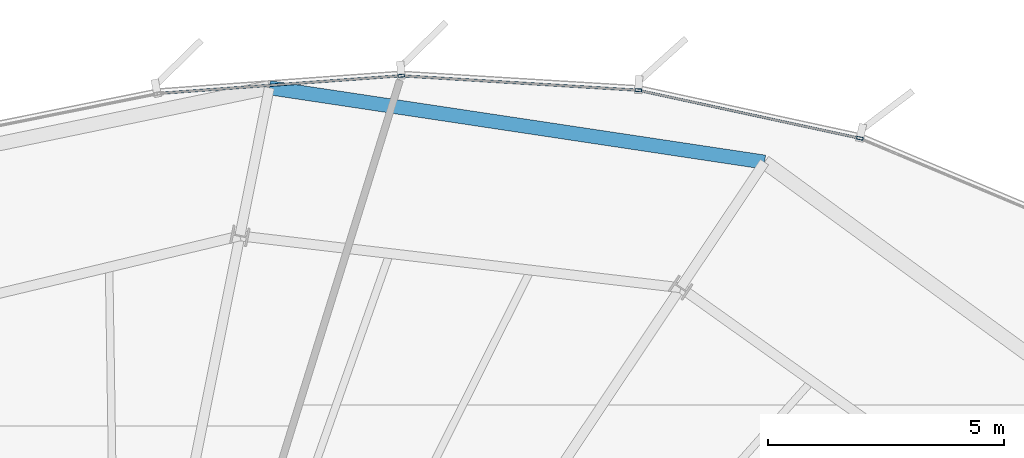
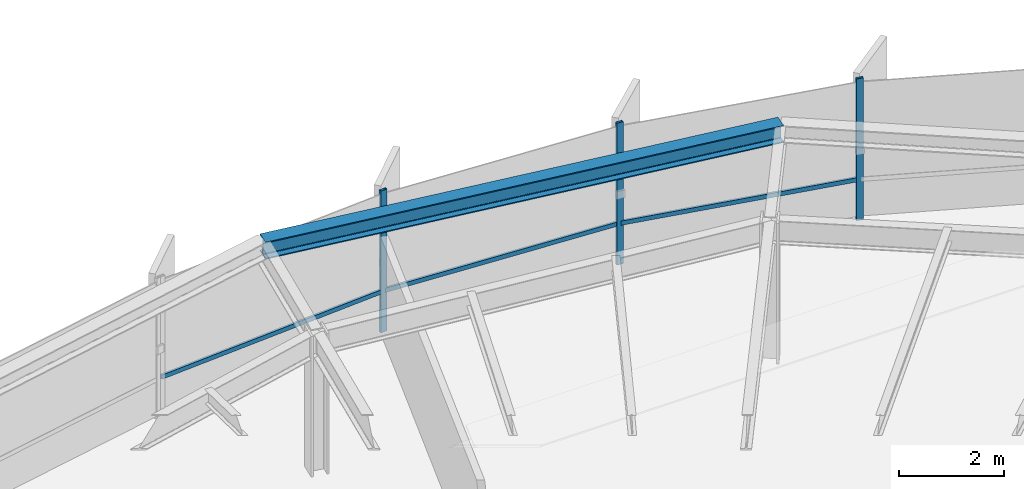
# One storey, part 24 of 32: 6 members, 1 beam, 1 element without a shape of its own.
"""IFC4 building model written with IfcOpenShell, lengths in metres."""

from ifc_helpers import new_model, si_unit, direction, frame, origin, origin_2d, place, context, subcontext, project, spatial, hollow_rectangle, i_section, extrude, source, transform, mapped, material, layer, layer_set, material_profile, profile_set, type_object, element, aggregate, save


model = new_model("IFC4")

# Units and contexts
model_context = context("Model", 3, precision=1e-05, world=origin(), true_north=direction((0.0, 1.0)))
body_context = subcontext(model_context, "Body", "Model", "MODEL_VIEW")
ifc_project = project(units=[si_unit("LENGTHUNIT", "METRE"), si_unit("AREAUNIT", "SQUARE_METRE"), si_unit("VOLUMEUNIT", "CUBIC_METRE"), si_unit("PLANEANGLEUNIT", "RADIAN"), si_unit("MASSUNIT", "GRAM", prefix="KILO"), si_unit("THERMODYNAMICTEMPERATUREUNIT", "KELVIN")], contexts=[model_context])

# Site, building, storey
site_placement = place(None, origin())
site = spatial("IfcSite", under=ifc_project, at=site_placement, CompositionType="ELEMENT")
building_placement = place(site_placement, origin())
building = spatial("IfcBuilding", under=site, at=building_placement, Name="Kethvar Cultural Tower", CompositionType="ELEMENT")
storey_placement = place(building_placement, frame((0.0, 0.0, 157.199951171875)))
storey = spatial("IfcBuildingStorey", under=building, at=storey_placement, Name="L40", CompositionType="ELEMENT", Elevation=157.199951171875)

# Beam
ifc_material_1 = material(Name="Steel S355J2", Category="steel")
ifc_material_profile_1 = material_profile(ifc_material_1, i_section(OverallWidth=0.300048828125, OverallDepth=0.39990234375, WebThickness=0.013427734375, FlangeThickness=0.02392578125, FilletRadius=0.027099609375, at=origin_2d()), Name="Steel S355J2 — HEB400")
ifc_profile_set_1 = profile_set([ifc_material_profile_1], Name="Steel S355J2 — HEB400")
beam_type = type_object("IfcBeamType", Name="BM-SP400", PredefinedType="SPANDREL", material=ifc_profile_set_1)
shared_shape_1 = source(origin(), body_context, "Body", "SweptSolid", [
    extrude(i_section(OverallWidth=0.300048828125, OverallDepth=0.39990234375, WebThickness=0.013427734375, FlangeThickness=0.02392578125, FilletRadius=0.027099609375, at=origin_2d()), origin(), (0.0, 0.0, 1.0), 10.607421875),
])
beam_placement = place(storey_placement, frame((62.1826171875, 50.821533203125, 3.09814453125), z_axis=(-0.98889884318, 0.148590302369, 0.0), x_axis=(-0.148590302369, -0.98889884318, 0.0)))
element("IfcBeam", 1, at=beam_placement, inside=storey, type_object=beam_type, Name="L40 Perimeter Spandrel Beam SP-03", PredefinedType="SPANDREL", context=body_context, shape_type="MappedRepresentation", body=[
    mapped(shared_shape_1, transform((0.0, 0.0, 0.0), scale=1.0)),
])

# Curtain wall, members
ifc_material_2 = material(Name="Aluminium 6063-T6", Category="aluminium")
ifc_layer = layer(ifc_material_2, 0.179931640625, Name="Aluminium 6063-T6", Category="aluminium")
ifc_layer_set = layer_set([ifc_layer], Name="Aluminium 6063-T6 (180 mm)")
curtain_wall_type = type_object("IfcCurtainWallType", Name="CW-SYS-04-Z34", PredefinedType="NOTDEFINED", material=ifc_layer_set)
curtain_wall_placement = place(storey_placement, origin())
curtain_wall = element("IfcCurtainWall", 2, at=curtain_wall_placement, inside=storey, type_object=curtain_wall_type, Name="L40 Curtain Wall Run 01", PredefinedType="NOTDEFINED")
ifc_material_profile_2 = material_profile(ifc_material_2, hollow_rectangle(XDim=0.06005859375, YDim=0.139892578125, WallThickness=0.0048828125, at=origin_2d()), Name="Aluminium 6063-T6 — RHS140x60x5")
ifc_profile_set_2 = profile_set([ifc_material_profile_2], Name="Aluminium 6063-T6 — RHS140x60x5")
member_type_1 = type_object("IfcMemberType", Name="CW-SYS-04-Z34-MUL", PredefinedType="MULLION", material=ifc_profile_set_2)
shared_shape_2 = source(origin(), body_context, "Body", "SweptSolid", [
    extrude(hollow_rectangle(XDim=0.06005859375, YDim=0.139892578125, WallThickness=0.0048828125, at=origin_2d()), origin(), (0.0, 0.0, 1.0), 3.300048828125),
])
member_1_placement = place(storey_placement, frame((64.203125, 51.32666015625, 0.0), z_axis=(0.0, 0.0, 1.0), x_axis=(-0.211631850281, -0.977349456411, 0.0)))
member_1 = element("IfcMember", 3, at=member_1_placement, type_object=member_type_1, Name="CW-L40-R01 Mullion 4", PredefinedType="MULLION", context=body_context, shape_type="MappedRepresentation", body=[
    mapped(shared_shape_2, transform((0.0, 0.0, 0.0), scale=1.0)),
])
member_2_placement = place(storey_placement, frame((59.5087890625, 52.344482421875, 0.0), z_axis=(0.0, 0.0, 1.0), x_axis=(-0.060804647374, -0.998149685597, 0.0)))
member_2 = element("IfcMember", 4, at=member_2_placement, type_object=member_type_1, Name="CW-L40-R01 Mullion 5", PredefinedType="MULLION", context=body_context, shape_type="MappedRepresentation", body=[
    mapped(shared_shape_2, transform((0.0, 0.0, 0.0), scale=1.0)),
])
member_3_placement = place(storey_placement, frame((54.48681640625, 52.6513671875, 0.0), z_axis=(0.0, 0.0, 1.0), x_axis=(0.072628958755, -0.997359029813, 0.0)))
member_3 = element("IfcMember", 5, at=member_3_placement, type_object=member_type_1, Name="CW-L40-R01 Mullion 6", PredefinedType="MULLION", context=body_context, shape_type="MappedRepresentation", body=[
    mapped(shared_shape_2, transform((0.0, 0.0, 0.0), scale=1.0)),
])
ifc_material_profile_3 = material_profile(ifc_material_2, hollow_rectangle(XDim=0.050048828125, YDim=0.10009765625, WallThickness=0.00390625, at=origin_2d()), Name="Aluminium 6063-T6 — RHS100x50x4")
ifc_profile_set_3 = profile_set([ifc_material_profile_3], Name="Aluminium 6063-T6 — RHS100x50x4")
member_type_2 = type_object("IfcMemberType", Name="CW-SYS-04-Z34-TRN", PredefinedType="USERDEFINED", material=ifc_profile_set_3)
shared_shape_3 = source(origin(), body_context, "Body", "SweptSolid", [
    extrude(hollow_rectangle(XDim=0.050048828125, YDim=0.10009765625, WallThickness=0.00390625, at=origin_2d()), origin(), (0.0, 0.0, 1.0), 4.733642578125),
])
member_4_placement = place(storey_placement, frame((64.160888671875, 51.335693359375, 0.949951171875), z_axis=(-0.977353371923, 0.211613767018, 0.0), x_axis=(-0.211613767018, -0.977353371923, 0.0)))
member_4 = element("IfcMember", 6, at=member_4_placement, type_object=member_type_2, Name="CW-L40-R01 Transom 4", ObjectType="TRANSOM", PredefinedType="USERDEFINED", context=body_context, shape_type="MappedRepresentation", body=[
    mapped(shared_shape_3, transform((0.0, 0.0, 0.0), scale=1.0)),
])
shared_shape_4 = source(origin(), body_context, "Body", "SweptSolid", [
    extrude(hollow_rectangle(XDim=0.050048828125, YDim=0.10009765625, WallThickness=0.00390625, at=origin_2d()), origin(), (0.0, 0.0, 1.0), 4.9599609375),
])
member_5_placement = place(storey_placement, frame((59.4658203125, 52.346923828125, 0.949951171875), z_axis=(-0.998147540877, 0.060839844192, 0.0), x_axis=(-0.060839844192, -0.998147540877, 0.0)))
member_5 = element("IfcMember", 7, at=member_5_placement, type_object=member_type_2, Name="CW-L40-R01 Transom 5", ObjectType="TRANSOM", PredefinedType="USERDEFINED", context=body_context, shape_type="MappedRepresentation", body=[
    mapped(shared_shape_4, transform((0.0, 0.0, 0.0), scale=1.0)),
])
shared_shape_5 = source(origin(), body_context, "Body", "SweptSolid", [
    extrude(hollow_rectangle(XDim=0.050048828125, YDim=0.10009765625, WallThickness=0.00390625, at=origin_2d()), origin(), (0.0, 0.0, 1.0), 5.066650390625),
])
member_6_placement = place(storey_placement, frame((54.443603515625, 52.648193359375, 0.949951171875), z_axis=(-0.99735642809, -0.072664677436, 0.0), x_axis=(0.072664677436, -0.99735642809, 0.0)))
member_6 = element("IfcMember", 8, at=member_6_placement, type_object=member_type_2, Name="CW-L40-R01 Transom 6", ObjectType="TRANSOM", PredefinedType="USERDEFINED", context=body_context, shape_type="MappedRepresentation", body=[
    mapped(shared_shape_5, transform((0.0, 0.0, 0.0), scale=1.0)),
])
aggregate(curtain_wall, [member_1, member_2, member_3, member_4, member_5, member_6])

save(model, "model.ifc")
